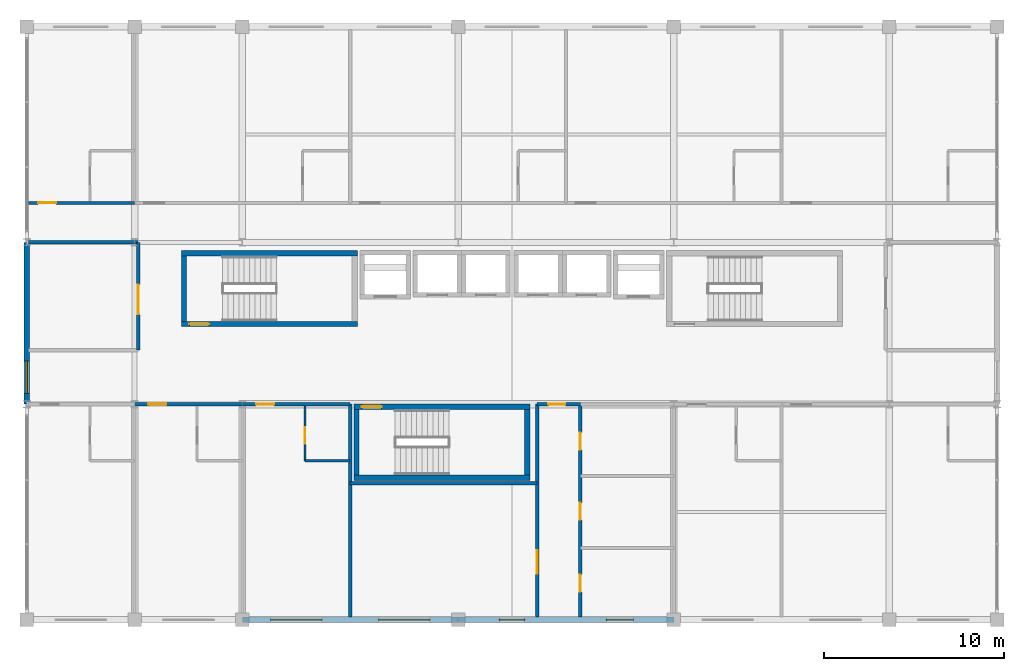
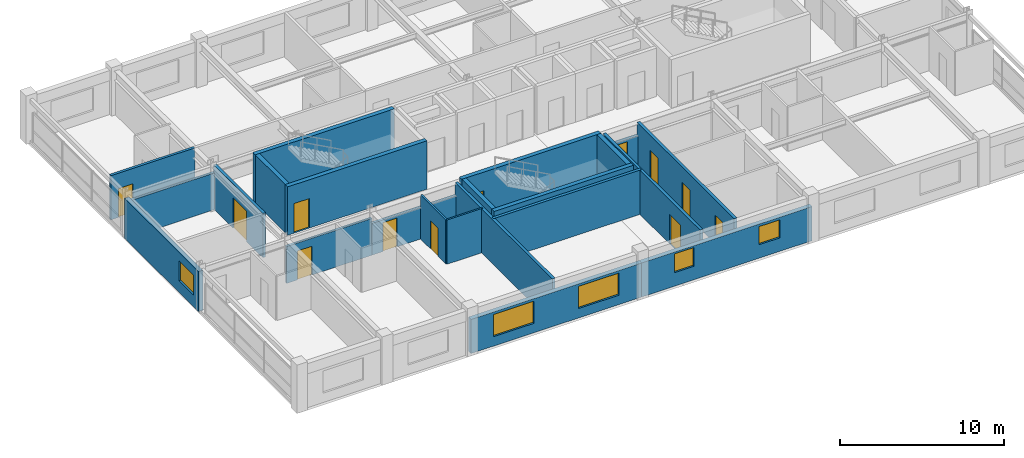
# One storey, part 16 of 20: 22 walls, 12 doors, 5 windows, 17 openings.
"""IFC4 building model written with IfcOpenShell, lengths in metres."""

from ifc_helpers import new_model, si_unit, direction, frame, frame_2d, origin, place, context, subcontext, project, spatial, rectangle, extrude, material, layer, layer_set, type_object, element, fill, save


model = new_model("IFC4")

# Units and contexts
model_context = context("Model", 3, precision=1e-05, world=origin(), true_north=direction((0.0, 1.0)))
body_context = subcontext(model_context, "Body", "Model", "MODEL_VIEW")
ifc_project = project(units=[si_unit("LENGTHUNIT", "METRE"), si_unit("AREAUNIT", "SQUARE_METRE"), si_unit("VOLUMEUNIT", "CUBIC_METRE"), si_unit("PLANEANGLEUNIT", "RADIAN"), si_unit("MASSUNIT", "GRAM", prefix="KILO")], contexts=[model_context])

# Site, building, storey
site_placement = place(None, origin())
site = spatial("IfcSite", under=ifc_project, at=site_placement, CompositionType="ELEMENT")
building_placement = place(site_placement, origin())
building = spatial("IfcBuilding", under=site, at=building_placement, Name="Kaldorvane Square Convention Centre", CompositionType="ELEMENT")
storey_placement = place(building_placement, frame((0.0, 0.0, 52.80000305175781)))
storey = spatial("IfcBuildingStorey", under=building, at=storey_placement, Name="L12", CompositionType="ELEMENT", Elevation=52.80000305175781)

# Wall, opening, door
ifc_material_1 = material(Name="Fire-Rated Gypsum Board on Acoustic Steel Studs", Category="steel")
ifc_layer_1 = layer(ifc_material_1, 0.125)
ifc_layer_set_1 = layer_set([ifc_layer_1], Name="Fire-Rated Gypsum Board on Acoustic Steel Studs")
wall_type_1 = type_object("IfcWallType", Name="WL-BATH-125", PredefinedType="PARTITIONING", material=ifc_layer_set_1)
wall_1_placement = place(storey_placement, frame((45.47999572753906, 92.85000610351562, 0.0), z_axis=(0.0, 0.0, 1.0), x_axis=(0.0, 1.0, 0.0)))
wall_1 = element("IfcWall", 1, at=wall_1_placement, inside=storey, type_object=wall_type_1, Name="En-Suite 1208 West Wall", PredefinedType="PARTITIONING", context=body_context, shape_type="SweptSolid", body=[
    extrude(rectangle(XDim=3.05999755859375, YDim=0.125, at=frame_2d((1.529998779296875, 0.0))), origin(), (0.0, 0.0, 1.0), 3.2899932861328125),
])
opening_1_placement = place(wall_1_placement, frame((0.9499969482421875, 0.0, 0.0)))
opening_1 = element("IfcOpeningElement", 2, at=opening_1_placement, cuts=wall_1, Name="Opening ID-12", PredefinedType="OPENING", context=body_context, shape_type="SweptSolid", body=[
    extrude(rectangle(XDim=0.9199981689453125, YDim=2.100006103515625, at=frame_2d((0.459991455078125, 1.0500030517578125))), frame((0.0, 0.0774993896484375, 0.0), z_axis=(0.0, -1.0, 0.0), x_axis=(1.0, 0.0, 0.0)), (0.0, 0.0, 1.0), 0.154998779296875),
])
ifc_material_2 = material(Name="Architectural Solid-Core White Oak")
door_type_1 = type_object("IfcDoorType", Name="DR-BATH-0920X2100", OperationType="SINGLE_SWING_RIGHT", PredefinedType="DOOR", material=ifc_material_2)
door_1_placement = place(opening_1_placement, origin())
door_1 = element("IfcDoor", 3, at=door_1_placement, inside=storey, type_object=door_type_1, Name="En-Suite Bathroom 1208 Door", OperationType="SINGLE_SWING_RIGHT", OverallHeight=2.100006103515625, OverallWidth=0.9199981689453125, PredefinedType="DOOR", context=body_context, shape_type="SweptSolid", body=[
    extrude(rectangle(XDim=0.9199981689453125, YDim=2.100006103515625, at=frame_2d((0.459991455078125, 1.0500030517578125))), frame((0.0, 0.024993896484375, 0.0), z_axis=(0.0, -1.0, 0.0), x_axis=(1.0, 0.0, 0.0)), (0.0, 0.0, 1.0), 0.0500030517578125),
])
fill(opening_1, door_1)

# Wall
wall_2_placement = place(storey_placement, frame((45.47999572753906, 92.85000610351562, 0.0), z_axis=(0.0, 0.0, 1.0), x_axis=(1.0, 0.0, 0.0)))
element("IfcWall", 4, at=wall_2_placement, inside=storey, type_object=wall_type_1, Name="En-Suite 1208 South Wall", PredefinedType="PARTITIONING", context=body_context, shape_type="SweptSolid", body=[
    extrude(rectangle(XDim=2.5200042724609375, YDim=0.125, at=frame_2d((1.260009765625, 0.0))), origin(), (0.0, 0.0, 1.0), 3.2899932861328125),
])

# Wall, opening, door
ifc_layer_2 = layer(ifc_material_1, 0.1999969482421875)
ifc_layer_set_2 = layer_set([ifc_layer_2], Name="Fire-Rated Gypsum Board on Acoustic Steel Studs")
wall_type_2 = type_object("IfcWallType", Name="WL-CORR-200", PredefinedType="PARTITIONING", material=ifc_layer_set_2)
wall_3_placement = place(storey_placement, frame((58.399993896484375, 96.0, 0.0), z_axis=(0.0, 0.0, 1.0), x_axis=(1.0, 0.0, 0.0)))
wall_3 = element("IfcWall", 5, at=wall_3_placement, inside=storey, type_object=wall_type_2, Name="Restroom Vestibule Entry Header (L12)", PredefinedType="PARTITIONING", context=body_context, shape_type="SweptSolid", body=[
    extrude(rectangle(XDim=2.4000091552734375, YDim=0.1999969482421875, at=frame_2d((1.20001220703125, 0.0))), origin(), (0.0, 0.0, 1.0), 2.3589935302734375),
])
opening_2_placement = place(wall_3_placement, frame((0.625, 0.0, 0.0)))
opening_2 = element("IfcOpeningElement", 6, at=opening_2_placement, cuts=wall_3, Name="Opening ID-13", PredefinedType="OPENING", context=body_context, shape_type="SweptSolid", body=[
    extrude(rectangle(XDim=0.9499969482421875, YDim=2.149993896484375, at=frame_2d((0.475006103515625, 1.0749969482421875))), frame((0.0, 0.114990234375, 0.0), z_axis=(0.0, -1.0, 0.0), x_axis=(1.0, 0.0, 0.0)), (0.0, 0.0, 1.0), 0.2299957275390625),
])
door_type_2 = type_object("IfcDoorType", Name="DR-WC-0950X2150", OperationType="SINGLE_SWING_LEFT", PredefinedType="DOOR", material=ifc_material_2)
door_2_placement = place(opening_2_placement, origin())
door_2 = element("IfcDoor", 7, at=door_2_placement, inside=storey, type_object=door_type_2, Name="Restroom Vestibule Door (L12)", OperationType="SINGLE_SWING_LEFT", OverallHeight=2.149993896484375, OverallWidth=0.9499969482421875, PredefinedType="DOOR", context=body_context, shape_type="SweptSolid", body=[
    extrude(rectangle(XDim=0.9499969482421875, YDim=2.149993896484375, at=frame_2d((0.475006103515625, 1.0749969482421875))), frame((0.0, 0.024993896484375, 0.0), z_axis=(0.0, -1.0, 0.0), x_axis=(1.0, 0.0, 0.0)), (0.0, 0.0, 1.0), 0.0500030517578125),
])
fill(opening_2, door_2)

wall_4_placement = place(storey_placement, frame((58.399993896484375, 84.16000366210938, 0.0), z_axis=(0.0, 0.0, 1.0), x_axis=(0.0, 1.0, 0.0)))
wall_4 = element("IfcWall", 8, at=wall_4_placement, inside=storey, type_object=wall_type_2, Name="Restroom Vestibule West Wall (L12)", PredefinedType="PARTITIONING", context=body_context, shape_type="SweptSolid", body=[
    extrude(rectangle(XDim=11.839996337890625, YDim=0.1999969482421875, at=frame_2d((5.9199981689453125, 0.0))), origin(), (0.0, 0.0, 1.0), 3.2899932861328125),
])
opening_3_placement = place(wall_4_placement, frame((2.399993896484375, 0.0, 0.0)))
opening_3 = element("IfcOpeningElement", 9, at=opening_3_placement, cuts=wall_4, Name="Opening ID-09", PredefinedType="OPENING", context=body_context, shape_type="SweptSolid", body=[
    extrude(rectangle(XDim=1.3000030517578125, YDim=2.1999969482421875, at=frame_2d((0.649993896484375, 1.100006103515625))), frame((0.0, 0.114990234375, 0.0), z_axis=(0.0, -1.0, 0.0), x_axis=(1.0, 0.0, 0.0)), (0.0, 0.0, 1.0), 0.2299957275390625),
])
ifc_material_3 = material(Name="Insulated Hollow Metal Steel", Category="steel")
door_type_3 = type_object("IfcDoorType", Name="DR-SVC-1300X2200", OperationType="DOUBLE_DOOR_SINGLE_SWING", PredefinedType="DOOR", material=ifc_material_3)
door_3_placement = place(opening_3_placement, origin())
door_3 = element("IfcDoor", 10, at=door_3_placement, inside=storey, type_object=door_type_3, Name="Housekeeping and Linen Room (L12) Door", OperationType="DOUBLE_DOOR_SINGLE_SWING", OverallHeight=2.1999969482421875, OverallWidth=1.3000030517578125, PredefinedType="DOOR", context=body_context, shape_type="SweptSolid", body=[
    extrude(rectangle(XDim=1.3000030517578125, YDim=2.1999969482421875, at=frame_2d((0.649993896484375, 1.100006103515625))), frame((0.0, 0.024993896484375, 0.0), z_axis=(0.0, -1.0, 0.0), x_axis=(1.0, 0.0, 0.0)), (0.0, 0.0, 1.0), 0.0500030517578125),
])
fill(opening_3, door_3)

# Wall, openings, doors
wall_5_placement = place(storey_placement, frame((60.80000305175781, 84.16000366210938, 0.0), z_axis=(0.0, 0.0, 1.0), x_axis=(0.0, 1.0, 0.0)))
wall_5 = element("IfcWall", 11, at=wall_5_placement, inside=storey, type_object=wall_type_2, Name="Restroom Vestibule East Wall (L12)", PredefinedType="PARTITIONING", context=body_context, shape_type="SweptSolid", body=[
    extrude(rectangle(XDim=11.839996337890625, YDim=0.1999969482421875, at=frame_2d((5.9199981689453125, 0.0))), origin(), (0.0, 0.0, 1.0), 3.2899932861328125),
])
opening_4_placement = place(wall_5_placement, frame((1.399993896484375, 0.0, 0.0)))
opening_4 = element("IfcOpeningElement", 12, at=opening_4_placement, cuts=wall_5, Name="Opening ID-13", PredefinedType="OPENING", context=body_context, shape_type="SweptSolid", body=[
    extrude(rectangle(XDim=0.9499969482421875, YDim=2.149993896484375, at=frame_2d((0.475006103515625, 1.0749969482421875))), frame((0.0, 0.114990234375, 0.0), z_axis=(0.0, -1.0, 0.0), x_axis=(1.0, 0.0, 0.0)), (0.0, 0.0, 1.0), 0.2299957275390625),
])
opening_5_placement = place(wall_5_placement, frame((5.399993896484375, 0.0, 0.0)))
opening_5 = element("IfcOpeningElement", 13, at=opening_5_placement, cuts=wall_5, Name="Opening ID-13", PredefinedType="OPENING", context=body_context, shape_type="SweptSolid", body=[
    extrude(rectangle(XDim=0.9499969482421875, YDim=2.149993896484375, at=frame_2d((0.475006103515625, 1.0749969482421875))), frame((0.0, 0.114990234375, 0.0), z_axis=(0.0, -1.0, 0.0), x_axis=(1.0, 0.0, 0.0)), (0.0, 0.0, 1.0), 0.2299957275390625),
])
opening_6_placement = place(wall_5_placement, frame((9.300003051757812, 0.0, 0.0)))
opening_6 = element("IfcOpeningElement", 14, at=opening_6_placement, cuts=wall_5, Name="Opening ID-13", PredefinedType="OPENING", context=body_context, shape_type="SweptSolid", body=[
    extrude(rectangle(XDim=0.9499969482421875, YDim=2.149993896484375, at=frame_2d((0.475006103515625, 1.0749969482421875))), frame((0.0, 0.114990234375, 0.0), z_axis=(0.0, -1.0, 0.0), x_axis=(1.0, 0.0, 0.0)), (0.0, 0.0, 1.0), 0.2299957275390625),
])
door_4_placement = place(opening_4_placement, origin())
door_4 = element("IfcDoor", 15, at=door_4_placement, inside=storey, type_object=door_type_2, Name="Accessible Restroom Door (L12)", OperationType="SINGLE_SWING_LEFT", OverallHeight=2.149993896484375, OverallWidth=0.9499969482421875, PredefinedType="DOOR", context=body_context, shape_type="SweptSolid", body=[
    extrude(rectangle(XDim=0.9499969482421875, YDim=2.149993896484375, at=frame_2d((0.475006103515625, 1.0749969482421875))), frame((0.0, 0.024993896484375, 0.0), z_axis=(0.0, -1.0, 0.0), x_axis=(1.0, 0.0, 0.0)), (0.0, 0.0, 1.0), 0.0500030517578125),
])
fill(opening_4, door_4)
door_5_placement = place(opening_5_placement, origin())
door_5 = element("IfcDoor", 16, at=door_5_placement, inside=storey, type_object=door_type_2, Name="Men's Restroom Door (L12)", OperationType="SINGLE_SWING_LEFT", OverallHeight=2.149993896484375, OverallWidth=0.9499969482421875, PredefinedType="DOOR", context=body_context, shape_type="SweptSolid", body=[
    extrude(rectangle(XDim=0.9499969482421875, YDim=2.149993896484375, at=frame_2d((0.475006103515625, 1.0749969482421875))), frame((0.0, 0.024993896484375, 0.0), z_axis=(0.0, -1.0, 0.0), x_axis=(1.0, 0.0, 0.0)), (0.0, 0.0, 1.0), 0.0500030517578125),
])
fill(opening_5, door_5)
door_6_placement = place(opening_6_placement, origin())
door_6 = element("IfcDoor", 17, at=door_6_placement, inside=storey, type_object=door_type_2, Name="Women's Restroom Door (L12)", OperationType="SINGLE_SWING_LEFT", OverallHeight=2.149993896484375, OverallWidth=0.9499969482421875, PredefinedType="DOOR", context=body_context, shape_type="SweptSolid", body=[
    extrude(rectangle(XDim=0.9499969482421875, YDim=2.149993896484375, at=frame_2d((0.475006103515625, 1.0749969482421875))), frame((0.0, 0.024993896484375, 0.0), z_axis=(0.0, -1.0, 0.0), x_axis=(1.0, 0.0, 0.0)), (0.0, 0.0, 1.0), 0.0500030517578125),
])
fill(opening_6, door_6)

# Walls
wall_6_placement = place(storey_placement, frame((48.0, 91.60000610351562, 0.0), z_axis=(0.0, 0.0, 1.0), x_axis=(1.0, 0.0, 0.0)))
element("IfcWall", 18, at=wall_6_placement, inside=storey, type_object=wall_type_2, Name="Housekeeping North Wall (L12)", PredefinedType="PARTITIONING", context=body_context, shape_type="SweptSolid", body=[
    extrude(rectangle(XDim=10.399993896484375, YDim=0.1999969482421875, at=frame_2d((5.1999969482421875, 0.0))), origin(), (0.0, 0.0, 1.0), 3.2899932861328125),
])
wall_7_placement = place(storey_placement, frame((48.0, 84.16000366210938, 0.0), z_axis=(0.0, 0.0, 1.0), x_axis=(0.0, 1.0, 0.0)))
element("IfcWall", 19, at=wall_7_placement, inside=storey, type_object=wall_type_2, Name="Service Block West Wall (L12)", PredefinedType="PARTITIONING", context=body_context, shape_type="SweptSolid", body=[
    extrude(rectangle(XDim=11.839996337890625, YDim=0.1999969482421875, at=frame_2d((5.9199981689453125, 0.0))), origin(), (0.0, 0.0, 1.0), 3.2899932861328125),
])

# Wall, opening, door
wall_8_placement = place(storey_placement, frame((36.19999694824219, 99.0, 0.0), z_axis=(0.0, 0.0, 1.0), x_axis=(0.0, 1.0, 0.0)))
wall_8 = element("IfcWall", 20, at=wall_8_placement, inside=storey, type_object=wall_type_2, Name="West Sunset Sitting Alcove (L12) E Wall", PredefinedType="PARTITIONING", context=body_context, shape_type="SweptSolid", body=[
    extrude(rectangle(XDim=6.0, YDim=0.1999969482421875, at=frame_2d((3.0, 0.0))), origin(), (0.0, 0.0, 1.0), 3.2899932861328125),
])
opening_7_placement = place(wall_8_placement, frame((2.0, 0.0, 0.0)))
opening_7 = element("IfcOpeningElement", 21, at=opening_7_placement, cuts=wall_8, Name="Opening ID-16", PredefinedType="OPENING", context=body_context, shape_type="SweptSolid", body=[
    extrude(rectangle(XDim=1.649993896484375, YDim=2.25, at=frame_2d((0.8249969482421875, 1.125))), frame((0.0, 0.114990234375, 0.0), z_axis=(0.0, -1.0, 0.0), x_axis=(1.0, 0.0, 0.0)), (0.0, 0.0, 1.0), 0.2299957275390625),
])
ifc_material_4 = material(Name="Acoustic Laminated Glass in Aluminum Frame", Category="aluminium")
door_type_4 = type_object("IfcDoorType", Name="DR-GL-1650X2250", OperationType="DOUBLE_DOOR_SINGLE_SWING", PredefinedType="DOOR", material=ifc_material_4)
door_7_placement = place(opening_7_placement, origin())
door_7 = element("IfcDoor", 22, at=door_7_placement, inside=storey, type_object=door_type_4, Name="West Sunset Sitting Alcove (L12) Door 1", OperationType="DOUBLE_DOOR_SINGLE_SWING", OverallHeight=2.25, OverallWidth=1.649993896484375, PredefinedType="DOOR", context=body_context, shape_type="SweptSolid", body=[
    extrude(rectangle(XDim=1.649993896484375, YDim=2.25, at=frame_2d((0.8249969482421875, 1.125))), frame((0.0, 0.024993896484375, 0.0), z_axis=(0.0, -1.0, 0.0), x_axis=(1.0, 0.0, 0.0)), (0.0, 0.0, 1.0), 0.0500030517578125),
])
fill(opening_7, door_7)

# Wall
wall_9_placement = place(storey_placement, frame((36.19999694824219, 105.0, 0.0), z_axis=(0.0, 0.0, 1.0), x_axis=(-1.0, 0.0, 0.0)))
element("IfcWall", 23, at=wall_9_placement, inside=storey, type_object=wall_type_2, Name="West Sunset Sitting Alcove (L12) N Wall", PredefinedType="PARTITIONING", context=body_context, shape_type="SweptSolid", body=[
    extrude(rectangle(XDim=6.114990234375, YDim=0.1999969482421875, at=frame_2d((3.0574951171875, 0.0))), origin(), (0.0, 0.0, 1.0), 2.735992431640625),
])

# Wall, openings, windows
ifc_material_5 = material(Name="Concrete f'c = 35 MPa (Normalweight)", Category="concrete")
ifc_layer_3 = layer(ifc_material_5, 0.32000732421875)
ifc_layer_set_3 = layer_set([ifc_layer_3], Name="Concrete f'c = 35 MPa (Normalweight)")
wall_type_3 = type_object("IfcWallType", Name="WL-EXT-320", PredefinedType="STANDARD", material=ifc_layer_set_3)
wall_10_placement = place(storey_placement, frame((42.0, 84.0, 0.0), z_axis=(0.0, 0.0, 1.0), x_axis=(1.0, 0.0, 0.0)))
wall_10 = element("IfcWall", 24, at=wall_10_placement, inside=storey, type_object=wall_type_3, Name="Hotel S Brutalist Facade Wall (L12)", PredefinedType="STANDARD", context=body_context, shape_type="SweptSolid", body=[
    extrude(rectangle(XDim=12.0, YDim=0.32000732421875, at=frame_2d((6.0, 0.0))), origin(), (0.0, 0.0, 1.0), 2.5359954833984375),
])
opening_8_placement = place(wall_10_placement, frame((1.5749969482421875, 0.0, 0.6999969482421875)))
opening_8 = element("IfcOpeningElement", 25, at=opening_8_placement, cuts=wall_10, Name="Opening W-04", PredefinedType="OPENING", context=body_context, shape_type="SweptSolid", body=[
    extrude(rectangle(XDim=2.850006103515625, YDim=1.649993896484375, at=frame_2d((1.4250030517578125, 0.8249969482421875))), frame((0.0, 0.1750030517578125, 0.0), z_axis=(0.0, -1.0, 0.0), x_axis=(1.0, 0.0, 0.0)), (0.0, 0.0, 1.0), 0.350006103515625),
])
opening_9_placement = place(wall_10_placement, frame((7.5749969482421875, 0.0, 0.6999969482421875)))
opening_9 = element("IfcOpeningElement", 26, at=opening_9_placement, cuts=wall_10, Name="Opening W-04", PredefinedType="OPENING", context=body_context, shape_type="SweptSolid", body=[
    extrude(rectangle(XDim=2.850006103515625, YDim=1.649993896484375, at=frame_2d((1.4250030517578125, 0.8249969482421875))), frame((0.0, 0.1750030517578125, 0.0), z_axis=(0.0, -1.0, 0.0), x_axis=(1.0, 0.0, 0.0)), (0.0, 0.0, 1.0), 0.350006103515625),
])
ifc_material_6 = material(Name="Anodized Aluminum and Low-E Insulated Glazing", Category="aluminium")
window_type_1 = type_object("IfcWindowType", Name="WN-HTL-2850X1650", PartitioningType="TRIPLE_PANEL_VERTICAL", PredefinedType="WINDOW", material=ifc_material_6)
window_1_placement = place(opening_8_placement, origin())
window_1 = element("IfcWindow", 27, at=window_1_placement, inside=storey, type_object=window_type_1, Name="Hotel S Window (L12)", OverallHeight=1.649993896484375, OverallWidth=2.850006103515625, PartitioningType="TRIPLE_PANEL_VERTICAL", PredefinedType="WINDOW", context=body_context, shape_type="SweptSolid", body=[
    extrude(rectangle(XDim=2.850006103515625, YDim=1.649993896484375, at=frame_2d((1.4250030517578125, 0.8249969482421875))), frame((0.0, 0.029998779296875, 0.0), z_axis=(0.0, -1.0, 0.0), x_axis=(1.0, 0.0, 0.0)), (0.0, 0.0, 1.0), 0.05999755859375),
])
fill(opening_8, window_1)
window_2_placement = place(opening_9_placement, origin())
window_2 = element("IfcWindow", 28, at=window_2_placement, inside=storey, type_object=window_type_1, Name="Hotel S Window (L12)", OverallHeight=1.649993896484375, OverallWidth=2.850006103515625, PartitioningType="TRIPLE_PANEL_VERTICAL", PredefinedType="WINDOW", context=body_context, shape_type="SweptSolid", body=[
    extrude(rectangle(XDim=2.850006103515625, YDim=1.649993896484375, at=frame_2d((1.4250030517578125, 0.8249969482421875))), frame((0.0, 0.029998779296875, 0.0), z_axis=(0.0, -1.0, 0.0), x_axis=(1.0, 0.0, 0.0)), (0.0, 0.0, 1.0), 0.05999755859375),
])
fill(opening_9, window_2)

wall_11_placement = place(storey_placement, frame((54.0, 84.0, 0.0), z_axis=(0.0, 0.0, 1.0), x_axis=(1.0, 0.0, 0.0)))
wall_11 = element("IfcWall", 29, at=wall_11_placement, inside=storey, type_object=wall_type_3, Name="Hotel S Brutalist Facade Wall (L12)", PredefinedType="STANDARD", context=body_context, shape_type="SweptSolid", body=[
    extrude(rectangle(XDim=12.0, YDim=0.32000732421875, at=frame_2d((6.0, 0.0))), origin(), (0.0, 0.0, 1.0), 2.5359954833984375),
])
opening_10_placement = place(wall_11_placement, frame((2.3000030517578125, 0.0, 1.0)))
opening_10 = element("IfcOpeningElement", 30, at=opening_10_placement, cuts=wall_11, Name="Opening W-13", PredefinedType="OPENING", context=body_context, shape_type="SweptSolid", body=[
    extrude(rectangle(XDim=1.399993896484375, YDim=1.399993896484375, at=frame_2d((0.6999969482421875, 0.6999969482421875))), frame((0.0, 0.1750030517578125, 0.0), z_axis=(0.0, -1.0, 0.0), x_axis=(1.0, 0.0, 0.0)), (0.0, 0.0, 1.0), 0.350006103515625),
])
opening_11_placement = place(wall_11_placement, frame((8.25, 0.0, 1.0)))
opening_11 = element("IfcOpeningElement", 31, at=opening_11_placement, cuts=wall_11, Name="Opening W-14", PredefinedType="OPENING", context=body_context, shape_type="SweptSolid", body=[
    extrude(rectangle(XDim=1.5, YDim=1.350006103515625, at=frame_2d((0.75, 0.6750030517578125))), frame((0.0, 0.1750030517578125, 0.0), z_axis=(0.0, -1.0, 0.0), x_axis=(1.0, 0.0, 0.0)), (0.0, 0.0, 1.0), 0.350006103515625),
])
window_type_2 = type_object("IfcWindowType", Name="WN-HTL-1400X1400", PartitioningType="SINGLE_PANEL", PredefinedType="WINDOW", material=ifc_material_6)
window_3_placement = place(opening_10_placement, origin())
window_3 = element("IfcWindow", 32, at=window_3_placement, inside=storey, type_object=window_type_2, Name="Hotel S Window (L12)", OverallHeight=1.399993896484375, OverallWidth=1.399993896484375, PartitioningType="SINGLE_PANEL", PredefinedType="WINDOW", context=body_context, shape_type="SweptSolid", body=[
    extrude(rectangle(XDim=1.399993896484375, YDim=1.399993896484375, at=frame_2d((0.6999969482421875, 0.6999969482421875))), frame((0.0, 0.029998779296875, 0.0), z_axis=(0.0, -1.0, 0.0), x_axis=(1.0, 0.0, 0.0)), (0.0, 0.0, 1.0), 0.05999755859375),
])
fill(opening_10, window_3)
window_type_3 = type_object("IfcWindowType", Name="WN-HTL-1500X1350", PartitioningType="SINGLE_PANEL", PredefinedType="WINDOW", material=ifc_material_6)
window_4_placement = place(opening_11_placement, origin())
window_4 = element("IfcWindow", 33, at=window_4_placement, inside=storey, type_object=window_type_3, Name="Hotel S Window (L12)", OverallHeight=1.350006103515625, OverallWidth=1.5, PartitioningType="SINGLE_PANEL", PredefinedType="WINDOW", context=body_context, shape_type="SweptSolid", body=[
    extrude(rectangle(XDim=1.5, YDim=1.350006103515625, at=frame_2d((0.75, 0.6750030517578125))), frame((0.0, 0.029998779296875, 0.0), z_axis=(0.0, -1.0, 0.0), x_axis=(1.0, 0.0, 0.0)), (0.0, 0.0, 1.0), 0.05999755859375),
])
fill(opening_11, window_4)

# Wall, opening, window
wall_12_placement = place(storey_placement, frame((30.0, 105.0, 0.0), z_axis=(0.0, 0.0, 1.0), x_axis=(0.0, -1.0, 0.0)))
wall_12 = element("IfcWall", 34, at=wall_12_placement, inside=storey, type_object=wall_type_3, Name="Hotel W End Wall (L12)", PredefinedType="STANDARD", context=body_context, shape_type="SweptSolid", body=[
    extrude(rectangle(XDim=9.0, YDim=0.32000732421875, at=frame_2d((4.5, 0.0))), origin(), (0.0, 0.0, 1.0), 2.9810028076171875),
])
opening_12_placement = place(wall_12_placement, frame((6.600006103515625, 0.0, 0.850006103515625)))
opening_12 = element("IfcOpeningElement", 35, at=opening_12_placement, cuts=wall_12, Name="Opening W-11", PredefinedType="OPENING", context=body_context, shape_type="SweptSolid", body=[
    extrude(rectangle(XDim=1.8000030517578125, YDim=1.5, at=frame_2d((0.899993896484375, 0.75))), frame((0.0, 0.1750030517578125, 0.0), z_axis=(0.0, -1.0, 0.0), x_axis=(1.0, 0.0, 0.0)), (0.0, 0.0, 1.0), 0.350006103515625),
])
window_type_4 = type_object("IfcWindowType", Name="WN-HTL-1800X1500", PartitioningType="SINGLE_PANEL", PredefinedType="WINDOW", material=ifc_material_6)
window_5_placement = place(opening_12_placement, origin())
window_5 = element("IfcWindow", 36, at=window_5_placement, inside=storey, type_object=window_type_4, Name="Hotel End Window W (L12)", OverallHeight=1.5, OverallWidth=1.8000030517578125, PartitioningType="SINGLE_PANEL", PredefinedType="WINDOW", context=body_context, shape_type="SweptSolid", body=[
    extrude(rectangle(XDim=1.8000030517578125, YDim=1.5, at=frame_2d((0.899993896484375, 0.75))), frame((0.0, 0.029998779296875, 0.0), z_axis=(0.0, -1.0, 0.0), x_axis=(1.0, 0.0, 0.0)), (0.0, 0.0, 1.0), 0.05999755859375),
])
fill(opening_12, window_5)

# Wall, opening, door
ifc_material_7 = material(Name="Concrete f'c = 55 MPa (Normalweight)", Category="concrete")
ifc_layer_4 = layer(ifc_material_7, 0.3000030517578125)
ifc_layer_set_4 = layer_set([ifc_layer_4], Name="Concrete f'c = 55 MPa (Normalweight)")
wall_type_4 = type_object("IfcWallType", Name="WL-SHAFT-300", PredefinedType="SHEAR", material=ifc_layer_set_4)
wall_13_placement = place(storey_placement, frame((38.600006103515625, 100.46000671386719, 0.0), z_axis=(0.0, 0.0, 1.0), x_axis=(1.0, 0.0, 0.0)))
wall_13 = element("IfcWall", 37, at=wall_13_placement, inside=storey, type_object=wall_type_4, Name="Core Enclosure Wall stair:ST-T1-S (L12)", PredefinedType="SHEAR", context=body_context, shape_type="SweptSolid", body=[
    extrude(rectangle(XDim=9.79998779296875, YDim=0.3000030517578125, at=frame_2d((4.899993896484375, 0.0))), origin(), (0.0, 0.0, 1.0), 3.5999908447265625),
])
opening_13_placement = place(wall_13_placement, frame((0.4499969482421875, 0.0, 0.0)))
opening_13 = element("IfcOpeningElement", 38, at=opening_13_placement, cuts=wall_13, Name="Opening FD90-S1", PredefinedType="OPENING", context=body_context, shape_type="SweptSolid", body=[
    extrude(rectangle(XDim=1.100006103515625, YDim=2.1999969482421875, at=frame_2d((0.5500030517578125, 1.100006103515625))), frame((0.0, 0.165008544921875, 0.0), z_axis=(0.0, -1.0, 0.0), x_axis=(1.0, 0.0, 0.0)), (0.0, 0.0, 1.0), 0.3300018310546875),
])
ifc_material_8 = material(Name="Fire-Rated Hollow Metal Steel", Category="steel")
door_type_5 = type_object("IfcDoorType", Name="DR-STAIR-1100", OperationType="SINGLE_SWING_RIGHT", PredefinedType="DOOR", material=ifc_material_8)
door_8_placement = place(opening_13_placement, origin())
door_8 = element("IfcDoor", 39, at=door_8_placement, inside=storey, type_object=door_type_5, Name="Tower Exit Stair T1 Fire Door (L12)", OperationType="SINGLE_SWING_RIGHT", OverallHeight=2.1999969482421875, OverallWidth=1.100006103515625, PredefinedType="DOOR", context=body_context, shape_type="SweptSolid", body=[
    extrude(rectangle(XDim=1.100006103515625, YDim=2.1999969482421875, at=frame_2d((0.5500030517578125, 1.100006103515625))), frame((0.0, 0.024993896484375, 0.0), z_axis=(0.0, -1.0, 0.0), x_axis=(1.0, 0.0, 0.0)), (0.0, 0.0, 1.0), 0.0500030517578125),
])
fill(opening_13, door_8)

# Walls
wall_14_placement = place(storey_placement, frame((48.399993896484375, 104.39999389648438, 0.0), z_axis=(0.0, 0.0, 1.0), x_axis=(-1.0, 0.0, 0.0)))
element("IfcWall", 40, at=wall_14_placement, inside=storey, type_object=wall_type_4, Name="Core Enclosure Wall stair:ST-T1-N (L12)", PredefinedType="SHEAR", context=body_context, shape_type="SweptSolid", body=[
    extrude(rectangle(XDim=9.79998779296875, YDim=0.3000030517578125, at=frame_2d((4.899993896484375, 0.0))), origin(), (0.0, 0.0, 1.0), 3.5999908447265625),
])
wall_15_placement = place(storey_placement, frame((38.75, 104.25, 0.0), z_axis=(0.0, 0.0, 1.0), x_axis=(0.0, -1.0, 0.0)))
element("IfcWall", 41, at=wall_15_placement, inside=storey, type_object=wall_type_4, Name="Core Enclosure Wall stair:ST-T1-W (L12)", PredefinedType="SHEAR", context=body_context, shape_type="SweptSolid", body=[
    extrude(rectangle(XDim=3.6399993896484375, YDim=0.3000030517578125, at=frame_2d((1.82000732421875, 0.0))), origin(), (0.0, 0.0, 1.0), 3.5999908447265625),
])
wall_16_placement = place(storey_placement, frame((48.19999694824219, 91.91000366210938, 0.0), z_axis=(0.0, 0.0, 1.0), x_axis=(1.0, 0.0, 0.0)))
element("IfcWall", 42, at=wall_16_placement, inside=storey, type_object=wall_type_4, Name="Core Enclosure Wall stair:ST-T3-S (L12)", PredefinedType="SHEAR", context=body_context, shape_type="SweptSolid", body=[
    extrude(rectangle(XDim=9.800003051757812, YDim=0.3000030517578125, at=frame_2d((4.899993896484375, 0.0))), origin(), (0.0, 0.0, 1.0), 3.5999908447265625),
])

# Wall, opening, door
wall_17_placement = place(storey_placement, frame((58.0, 95.85000610351562, 0.0), z_axis=(0.0, 0.0, 1.0), x_axis=(-1.0, 0.0, 0.0)))
wall_17 = element("IfcWall", 43, at=wall_17_placement, inside=storey, type_object=wall_type_4, Name="Core Enclosure Wall stair:ST-T3-N (L12)", PredefinedType="SHEAR", context=body_context, shape_type="SweptSolid", body=[
    extrude(rectangle(XDim=9.800003051757812, YDim=0.3000030517578125, at=frame_2d((4.899993896484375, 0.0))), origin(), (0.0, 0.0, 1.0), 3.5999908447265625),
])
opening_14_placement = place(wall_17_placement, frame((8.25, 0.0, 0.0)))
opening_14 = element("IfcOpeningElement", 44, at=opening_14_placement, cuts=wall_17, Name="Opening FD90-S1", PredefinedType="OPENING", context=body_context, shape_type="SweptSolid", body=[
    extrude(rectangle(XDim=1.100006103515625, YDim=2.1999969482421875, at=frame_2d((0.5500030517578125, 1.100006103515625))), frame((0.0, 0.165008544921875, 0.0), z_axis=(0.0, -1.0, 0.0), x_axis=(1.0, 0.0, 0.0)), (0.0, 0.0, 1.0), 0.3300018310546875),
])
door_9_placement = place(opening_14_placement, origin())
door_9 = element("IfcDoor", 45, at=door_9_placement, inside=storey, type_object=door_type_5, Name="Tower Exit Stair T3 Fire Door (L12)", OperationType="SINGLE_SWING_RIGHT", OverallHeight=2.1999969482421875, OverallWidth=1.100006103515625, PredefinedType="DOOR", context=body_context, shape_type="SweptSolid", body=[
    extrude(rectangle(XDim=1.100006103515625, YDim=2.1999969482421875, at=frame_2d((0.5500030517578125, 1.100006103515625))), frame((0.0, 0.024993896484375, 0.0), z_axis=(0.0, -1.0, 0.0), x_axis=(1.0, 0.0, 0.0)), (0.0, 0.0, 1.0), 0.0500030517578125),
])
fill(opening_14, door_9)

# Walls
for number, where, z_axis, x_axis, name in (
    (46, (48.350006103515625, 95.69999694824219, 0.0), (0.0, 0.0, 1.0), (0.0, -1.0, 0.0), "Core Enclosure Wall stair:ST-T3-W (L12)"),
    (47, (57.850006103515625, 92.05999755859375, 0.0), (0.0, 0.0, 1.0), (0.0, 1.0, 0.0), "Core Enclosure Wall stair:ST-T3-E (L12)"),
):
    element("IfcWall", number, at=place(storey_placement, frame(where, z_axis=z_axis, x_axis=x_axis)), inside=storey, type_object=wall_type_4, Name=name, PredefinedType="SHEAR", context=body_context, shape_type="SweptSolid", body=[
        extrude(rectangle(XDim=3.6399993896484375, YDim=0.3000030517578125, at=frame_2d((1.82000732421875, 0.0))), origin(), (0.0, 0.0, 1.0), 3.5999908447265625),
    ])

# Wall, opening, door
ifc_layer_5 = layer(ifc_material_1, 0.17999267578125)
ifc_layer_set_5 = layer_set([ifc_layer_5], Name="Fire-Rated Gypsum Board on Acoustic Steel Studs")
wall_type_5 = type_object("IfcWallType", Name="WL-UNIT-180", PredefinedType="PARTITIONING", material=ifc_layer_set_5)
wall_18_placement = place(storey_placement, frame((30.085006713867188, 107.19999694824219, 0.0), z_axis=(0.0, 0.0, 1.0), x_axis=(1.0, 0.0, 0.0)))
wall_18 = element("IfcWall", 48, at=wall_18_placement, inside=storey, type_object=wall_type_5, Name="Hotel Guest Room 1201 Corridor Wall", PredefinedType="PARTITIONING", context=body_context, shape_type="SweptSolid", body=[
    extrude(rectangle(XDim=5.9149932861328125, YDim=0.17999267578125, at=frame_2d((2.957489013671875, 0.0))), origin(), (0.0, 0.0, 1.0), 3.2899932861328125),
])
opening_15_placement = place(wall_18_placement, frame((0.5500030517578125, 0.0, 0.0)))
opening_15 = element("IfcOpeningElement", 49, at=opening_15_placement, cuts=wall_18, Name="Opening ID-10", PredefinedType="OPENING", context=body_context, shape_type="SweptSolid", body=[
    extrude(rectangle(XDim=1.0, YDim=2.149993896484375, at=frame_2d((0.5, 1.0749969482421875))), frame((0.0, 0.1049957275390625, 0.0), z_axis=(0.0, -1.0, 0.0), x_axis=(1.0, 0.0, 0.0)), (0.0, 0.0, 1.0), 0.209991455078125),
])
door_type_6 = type_object("IfcDoorType", Name="DR-GUEST-1000X2150", OperationType="SINGLE_SWING_LEFT", PredefinedType="DOOR", material=ifc_material_2)
door_10_placement = place(opening_15_placement, origin())
door_10 = element("IfcDoor", 50, at=door_10_placement, inside=storey, type_object=door_type_6, Name="Hotel Guest Room 1201 Entry Door", OperationType="SINGLE_SWING_LEFT", OverallHeight=2.149993896484375, OverallWidth=1.0, PredefinedType="DOOR", context=body_context, shape_type="SweptSolid", body=[
    extrude(rectangle(XDim=1.0, YDim=2.149993896484375, at=frame_2d((0.5, 1.0749969482421875))), frame((0.0, 0.024993896484375, 0.0), z_axis=(0.0, -1.0, 0.0), x_axis=(1.0, 0.0, 0.0)), (0.0, 0.0, 1.0), 0.0500030517578125),
])
fill(opening_15, door_10)

wall_19_placement = place(storey_placement, frame((36.0, 96.0, 0.0), z_axis=(0.0, 0.0, 1.0), x_axis=(1.0, 0.0, 0.0)))
wall_19 = element("IfcWall", 51, at=wall_19_placement, inside=storey, type_object=wall_type_5, Name="Hotel Guest Room 1207 Corridor Wall", PredefinedType="PARTITIONING", context=body_context, shape_type="SweptSolid", body=[
    extrude(rectangle(XDim=6.0, YDim=0.17999267578125, at=frame_2d((3.0, 0.0))), origin(), (0.0, 0.0, 1.0), 2.735992431640625),
])
opening_16_placement = place(wall_19_placement, frame((0.7700042724609375, 0.0, 0.0)))
opening_16 = element("IfcOpeningElement", 52, at=opening_16_placement, cuts=wall_19, Name="Opening ID-10", PredefinedType="OPENING", context=body_context, shape_type="SweptSolid", body=[
    extrude(rectangle(XDim=1.0, YDim=2.149993896484375, at=frame_2d((0.5, 1.0749969482421875))), frame((0.0, 0.1049957275390625, 0.0), z_axis=(0.0, -1.0, 0.0), x_axis=(1.0, 0.0, 0.0)), (0.0, 0.0, 1.0), 0.209991455078125),
])
door_11_placement = place(opening_16_placement, origin())
door_11 = element("IfcDoor", 53, at=door_11_placement, inside=storey, type_object=door_type_6, Name="Hotel Guest Room 1207 Entry Door", OperationType="SINGLE_SWING_LEFT", OverallHeight=2.149993896484375, OverallWidth=1.0, PredefinedType="DOOR", context=body_context, shape_type="SweptSolid", body=[
    extrude(rectangle(XDim=1.0, YDim=2.149993896484375, at=frame_2d((0.5, 1.0749969482421875))), frame((0.0, 0.024993896484375, 0.0), z_axis=(0.0, -1.0, 0.0), x_axis=(1.0, 0.0, 0.0)), (0.0, 0.0, 1.0), 0.0500030517578125),
])
fill(opening_16, door_11)

wall_20_placement = place(storey_placement, frame((42.0, 96.0, 0.0), z_axis=(0.0, 0.0, 1.0), x_axis=(1.0, 0.0, 0.0)))
wall_20 = element("IfcWall", 54, at=wall_20_placement, inside=storey, type_object=wall_type_5, Name="Hotel Guest Room 1208 Corridor Wall", PredefinedType="PARTITIONING", context=body_context, shape_type="SweptSolid", body=[
    extrude(rectangle(XDim=6.0, YDim=0.17999267578125, at=frame_2d((3.0, 0.0))), origin(), (0.0, 0.0, 1.0), 2.3589935302734375),
])
opening_17_placement = place(wall_20_placement, frame((0.7700042724609375, 0.0, 0.0)))
opening_17 = element("IfcOpeningElement", 55, at=opening_17_placement, cuts=wall_20, Name="Opening ID-10", PredefinedType="OPENING", context=body_context, shape_type="SweptSolid", body=[
    extrude(rectangle(XDim=1.0, YDim=2.149993896484375, at=frame_2d((0.5, 1.0749969482421875))), frame((0.0, 0.1049957275390625, 0.0), z_axis=(0.0, -1.0, 0.0), x_axis=(1.0, 0.0, 0.0)), (0.0, 0.0, 1.0), 0.209991455078125),
])
door_12_placement = place(opening_17_placement, origin())
door_12 = element("IfcDoor", 56, at=door_12_placement, inside=storey, type_object=door_type_6, Name="Hotel Guest Room 1208 Entry Door", OperationType="SINGLE_SWING_LEFT", OverallHeight=2.149993896484375, OverallWidth=1.0, PredefinedType="DOOR", context=body_context, shape_type="SweptSolid", body=[
    extrude(rectangle(XDim=1.0, YDim=2.149993896484375, at=frame_2d((0.5, 1.0749969482421875))), frame((0.0, 0.024993896484375, 0.0), z_axis=(0.0, -1.0, 0.0), x_axis=(1.0, 0.0, 0.0)), (0.0, 0.0, 1.0), 0.0500030517578125),
])
fill(opening_17, door_12)

save(model, "model.ifc")
